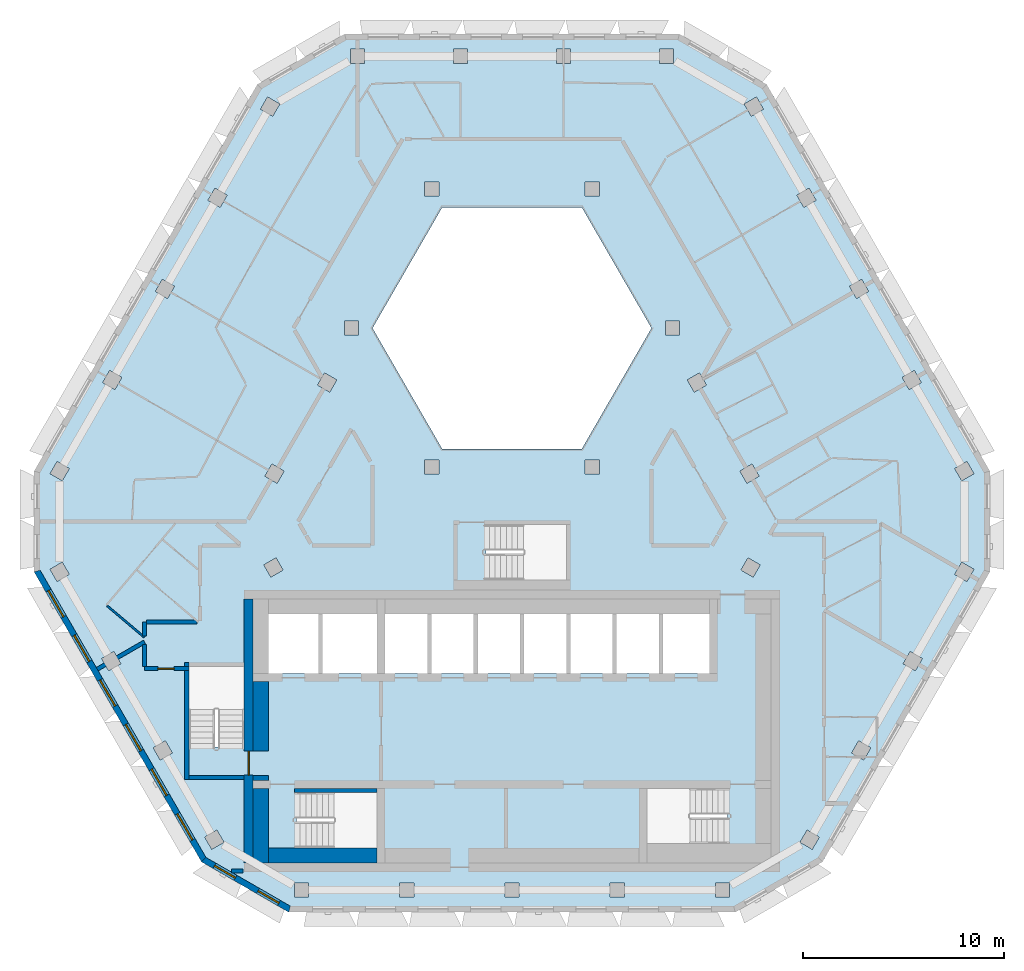
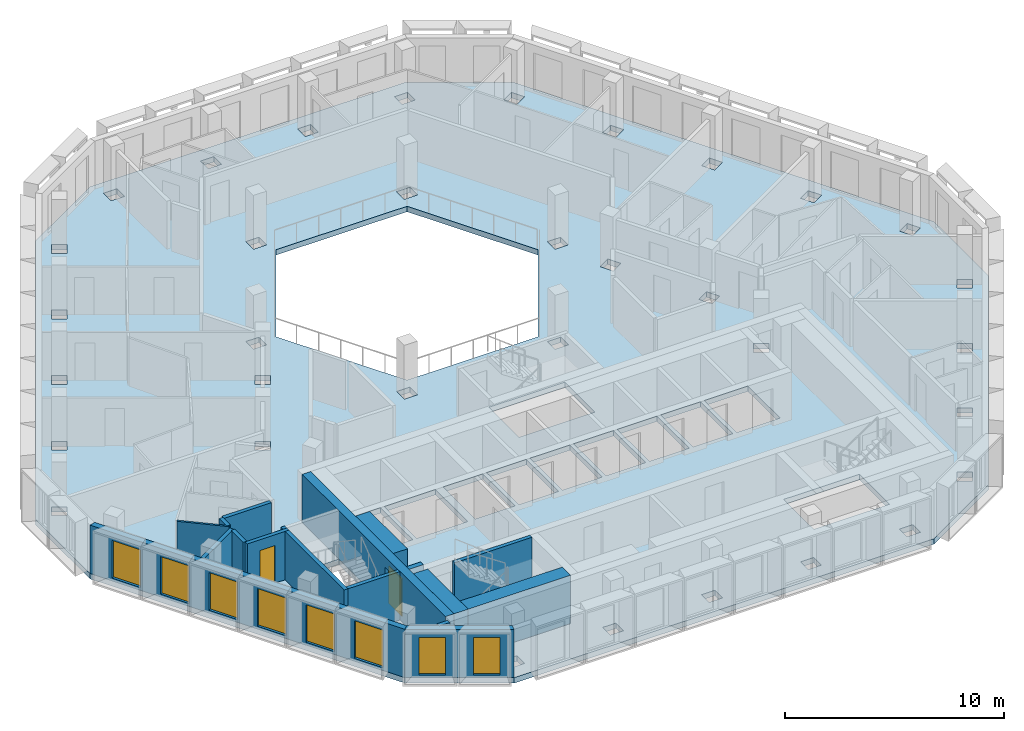
# One storey, part 2 of 16: 17 walls, 8 windows, 2 doors, 1 slab, 10 openings.
"""IFC4 building model written with IfcOpenShell, lengths in metres."""

from ifc_helpers import new_model, si_unit, direction, frame, frame_2d, origin, place, context, subcontext, project, spatial, polyline, rectangle, outline, extrude, material, layer, layer_set, type_object, element, fill, save


model = new_model("IFC4")

# Units and contexts
model_context = context("Model", 3, precision=1e-05, world=origin(), true_north=direction((0.0, 1.0)))
body_context = subcontext(model_context, "Body", "Model", "MODEL_VIEW")
ifc_project = project(units=[si_unit("LENGTHUNIT", "METRE"), si_unit("AREAUNIT", "SQUARE_METRE"), si_unit("VOLUMEUNIT", "CUBIC_METRE"), si_unit("PLANEANGLEUNIT", "RADIAN"), si_unit("MASSUNIT", "GRAM", prefix="KILO")], contexts=[model_context])

# Site, building, storey
site_placement = place(None, origin())
site = spatial("IfcSite", under=ifc_project, at=site_placement, CompositionType="ELEMENT")
building_placement = place(site_placement, origin())
building = spatial("IfcBuilding", under=site, at=building_placement, Name="Beryl Residences", CompositionType="ELEMENT")
storey_placement = place(building_placement, frame((0.0, 0.0, 238.800048828125)))
storey = spatial("IfcBuildingStorey", under=building, at=storey_placement, Name="L74", CompositionType="ELEMENT", Elevation=238.800048828125)

# Slab
ifc_material_1 = material(Name="Concrete C40/50", Category="concrete")
ifc_layer_1 = layer(ifc_material_1, 0.300048828125)
ifc_layer_set_1 = layer_set([ifc_layer_1], Name="SL7 PT floor slab 300 mm C40/50")
slab_type = type_object("IfcSlabType", Name="SL7 PT floor slab 300 mm C40/50", PredefinedType="FLOOR", material=ifc_layer_set_1)
slab_placement = place(storey_placement, frame((0.0, 0.0, -0.300048828125)))
element("IfcSlab", 1, at=slab_placement, inside=storey, type_object=slab_type, Name="L74 slab 1", PredefinedType="FLOOR", context=body_context, shape_type="SweptSolid", body=[
    extrude(outline(polyline([(23.72900390625, -4.10009765625), (15.4150390625, -18.5), (11.0849609375, -21.0), (-11.0849609375, -21.0), (-15.4150390625, -18.5), (-23.72900390625, -4.10009765625), (-23.72900390625, 0.89990234375), (-12.64404296875, 20.10009765625), (-8.31396484375, 22.60009765625), (8.31396484375, 22.60009765625), (12.64404296875, 20.10009765625), (23.72900390625, 0.89990234375), (23.72900390625, -4.10009765625)]), holes=[polyline([(21.97998046875, 1.028076171875), (22.330078125, 0.422119140625), (22.93603515625, 0.77197265625), (22.5859375, 1.3779296875), (21.97998046875, 1.028076171875)]), polyline([(21.97998046875, -4.22900390625), (22.5859375, -4.5791015625), (22.93603515625, -3.972900390625), (22.330078125, -3.623046875), (21.97998046875, -4.22900390625)]), polyline([(19.77099609375, -8.055908203125), (19.4208984375, -8.662109375), (20.027099609375, -9.011962890625), (20.376953125, -8.406005859375), (19.77099609375, -8.055908203125)]), polyline([(19.367919921875, 5.552978515625), (19.718017578125, 4.947021484375), (20.323974609375, 5.297119140625), (19.97412109375, 5.903076171875), (19.367919921875, 5.552978515625)]), polyline([(17.2109375, -12.489013671875), (16.861083984375, -13.094970703125), (17.467041015625, -13.445068359375), (17.81689453125, -12.839111328125), (17.2109375, -12.489013671875)]), polyline([(17.361083984375, 10.427978515625), (16.7548828125, 10.077880859375), (17.10498046875, 9.471923828125), (17.7109375, 9.822021484375), (17.361083984375, 10.427978515625)]), polyline([(15.258056640625, -17.27197265625), (14.652099609375, -16.922119140625), (14.302001953125, -17.528076171875), (14.907958984375, -17.8779296875), (15.258056640625, -17.27197265625)]), polyline([(14.14306640625, 14.60302734375), (14.492919921875, 13.9970703125), (15.09912109375, 14.346923828125), (14.7490234375, 14.952880859375), (14.14306640625, 14.60302734375)]), polyline([(11.531005859375, 19.1279296875), (11.881103515625, 18.52197265625), (12.487060546875, 18.8720703125), (12.136962890625, 19.47802734375), (11.531005859375, 19.1279296875)]), polyline([(11.717041015625, -3.406005859375), (11.366943359375, -4.011962890625), (11.972900390625, -4.362060546875), (12.322998046875, -3.756103515625), (11.717041015625, -3.406005859375)]), polyline([(11.919921875, 1.2529296875), (11.31396484375, 0.903076171875), (11.6640625, 0.297119140625), (12.27001953125, 0.64697265625), (11.919921875, 1.2529296875)]), polyline([(10.800048828125, -19.550048828125), (10.10009765625, -19.550048828125), (10.10009765625, -20.25), (10.800048828125, -20.25), (10.800048828125, -19.550048828125)]), polyline([(6.699951171875, -14.85009765625), (6.699951171875, -17.60009765625), (10.699951171875, -17.60009765625), (10.699951171875, -14.85009765625), (6.699951171875, -14.85009765625)]), polyline([(7.5, -9.14990234375), (9.800048828125, -9.14990234375), (9.800048828125, -6.199951171875), (7.5, -6.199951171875), (7.5, -9.14990234375)]), polyline([(8.700927734375, 5.427978515625), (9.051025390625, 4.822021484375), (9.656982421875, 5.172119140625), (9.306884765625, 5.778076171875), (8.700927734375, 5.427978515625)]), polyline([(8.31689453125, 7.64990234375), (8.31689453125, 8.35009765625), (7.616943359375, 8.35009765625), (7.616943359375, 7.64990234375), (8.31689453125, 7.64990234375)]), polyline([(7.3291015625, 21.85009765625), (7.3291015625, 21.14990234375), (8.029052734375, 21.14990234375), (8.029052734375, 21.85009765625), (7.3291015625, 21.85009765625)]), polyline([(5.199951171875, -9.14990234375), (7.300048828125, -9.14990234375), (7.300048828125, -6.199951171875), (5.199951171875, -6.199951171875), (5.199951171875, -9.14990234375)]), polyline([(3.464111328125, 14.0), (-3.464111328125, 14.0), (-6.92822265625, 8.0), (-3.464111328125, 2.0), (3.464111328125, 2.0), (6.92822265625, 8.0), (3.464111328125, 14.0)]), polyline([(4.875, -19.550048828125), (4.875, -20.25), (5.574951171875, -20.25), (5.574951171875, -19.550048828125), (4.875, -19.550048828125)]), polyline([(2.89990234375, -9.14990234375), (5.0, -9.14990234375), (5.0, -6.199951171875), (2.89990234375, -6.199951171875), (2.89990234375, -9.14990234375)]), polyline([(4.333984375, 15.25), (3.634033203125, 15.25), (3.634033203125, 14.550048828125), (4.333984375, 14.550048828125), (4.333984375, 15.25)]), polyline([(4.333984375, 1.449951171875), (3.634033203125, 1.449951171875), (3.634033203125, 0.75), (4.333984375, 0.75), (4.333984375, 1.449951171875)]), polyline([(2.2099609375, 21.85009765625), (2.2099609375, 21.14990234375), (2.909912109375, 21.14990234375), (2.909912109375, 21.85009765625), (2.2099609375, 21.85009765625)]), polyline([(2.699951171875, -9.14990234375), (2.699951171875, -6.199951171875), (0.60009765625, -6.199951171875), (0.60009765625, -9.14990234375), (2.699951171875, -9.14990234375)]), polyline([(2.699951171875, -4.5), (2.699951171875, -1.75), (-1.300048828125, -1.75), (-1.300048828125, -4.5), (2.699951171875, -4.5)]), polyline([(0.39990234375, -6.199951171875), (-1.699951171875, -6.199951171875), (-1.699951171875, -9.14990234375), (0.39990234375, -9.14990234375), (0.39990234375, -6.199951171875)]), polyline([(0.35009765625, -19.550048828125), (-0.35009765625, -19.550048828125), (-0.35009765625, -20.25), (0.35009765625, -20.25), (0.35009765625, -19.550048828125)]), polyline([(-4.0, -9.14990234375), (-1.89990234375, -9.14990234375), (-1.89990234375, -6.199951171875), (-4.0, -6.199951171875), (-4.0, -9.14990234375)]), polyline([(-2.908935546875, 21.14990234375), (-2.208984375, 21.14990234375), (-2.208984375, 21.85009765625), (-2.908935546875, 21.85009765625), (-2.908935546875, 21.14990234375)]), polyline([(-3.634033203125, 15.25), (-4.333984375, 15.25), (-4.333984375, 14.550048828125), (-3.634033203125, 14.550048828125), (-3.634033203125, 15.25)]), polyline([(-4.333984375, 1.449951171875), (-4.333984375, 0.75), (-3.634033203125, 0.75), (-3.634033203125, 1.449951171875), (-4.333984375, 1.449951171875)]), polyline([(-6.300048828125, -9.14990234375), (-4.199951171875, -9.14990234375), (-4.199951171875, -6.199951171875), (-6.300048828125, -6.199951171875), (-6.300048828125, -9.14990234375)]), polyline([(-4.875, -19.550048828125), (-5.574951171875, -19.550048828125), (-5.574951171875, -20.25), (-4.875, -20.25), (-4.875, -19.550048828125)]), polyline([(-9.39990234375, -6.199951171875), (-9.39990234375, -9.14990234375), (-6.699951171875, -9.14990234375), (-6.699951171875, -6.199951171875), (-9.39990234375, -6.199951171875)]), polyline([(-10.699951171875, -15.050048828125), (-10.699951171875, -17.800048828125), (-6.699951171875, -17.800048828125), (-6.699951171875, -15.050048828125), (-10.699951171875, -15.050048828125)]), polyline([(-8.028076171875, 21.14990234375), (-7.327880859375, 21.14990234375), (-7.327880859375, 21.85009765625), (-8.028076171875, 21.85009765625), (-8.028076171875, 21.14990234375)]), polyline([(-7.616943359375, 7.64990234375), (-7.616943359375, 8.35009765625), (-8.31689453125, 8.35009765625), (-8.31689453125, 7.64990234375), (-7.616943359375, 7.64990234375)]), polyline([(-9.051025390625, 4.822021484375), (-8.700927734375, 5.427978515625), (-9.306884765625, 5.778076171875), (-9.656982421875, 5.172119140625), (-9.051025390625, 4.822021484375)]), polyline([(-12.10009765625, -9.14990234375), (-9.60009765625, -9.14990234375), (-9.60009765625, -6.199951171875), (-12.10009765625, -6.199951171875), (-12.10009765625, -9.14990234375)]), polyline([(-10.800048828125, -19.550048828125), (-10.800048828125, -20.25), (-10.10009765625, -20.25), (-10.10009765625, -19.550048828125), (-10.800048828125, -19.550048828125)]), polyline([(-12.27001953125, 0.64697265625), (-11.6640625, 0.297119140625), (-11.31396484375, 0.903076171875), (-11.919921875, 1.2529296875), (-12.27001953125, 0.64697265625)]), polyline([(-11.972900390625, -4.361083984375), (-11.366943359375, -4.010986328125), (-11.717041015625, -3.405029296875), (-12.322998046875, -3.7548828125), (-11.972900390625, -4.361083984375)]), polyline([(-12.487060546875, 18.8720703125), (-11.881103515625, 18.52197265625), (-11.531005859375, 19.1279296875), (-12.136962890625, 19.47802734375), (-12.487060546875, 18.8720703125)]), polyline([(-13.300048828125, -8.800048828125), (-16.050048828125, -8.800048828125), (-16.050048828125, -12.800048828125), (-13.300048828125, -12.800048828125), (-13.300048828125, -8.800048828125)]), polyline([(-14.14306640625, 14.60302734375), (-14.7490234375, 14.952880859375), (-15.09912109375, 14.346923828125), (-14.492919921875, 13.9970703125), (-14.14306640625, 14.60302734375)]), polyline([(-14.302978515625, -17.527099609375), (-14.653076171875, -16.9208984375), (-15.259033203125, -17.27099609375), (-14.908935546875, -17.876953125), (-14.302978515625, -17.527099609375)]), polyline([(-17.10498046875, 9.471923828125), (-16.7548828125, 10.077880859375), (-17.361083984375, 10.427978515625), (-17.7109375, 9.822021484375), (-17.10498046875, 9.471923828125)]), polyline([(-17.2119140625, -12.488037109375), (-17.818115234375, -12.837890625), (-17.468017578125, -13.444091796875), (-16.862060546875, -13.093994140625), (-17.2119140625, -12.488037109375)]), polyline([(-19.718017578125, 4.947021484375), (-19.367919921875, 5.552978515625), (-19.97412109375, 5.903076171875), (-20.323974609375, 5.297119140625), (-19.718017578125, 4.947021484375)]), polyline([(-19.4208984375, -8.660888671875), (-19.77099609375, -8.054931640625), (-20.376953125, -8.405029296875), (-20.027099609375, -9.010986328125), (-19.4208984375, -8.660888671875)]), polyline([(-22.330078125, 0.422119140625), (-21.97998046875, 1.028076171875), (-22.5859375, 1.3779296875), (-22.93603515625, 0.77197265625), (-22.330078125, 0.422119140625)]), polyline([(-21.98095703125, -4.22802734375), (-22.3310546875, -3.6220703125), (-22.93701171875, -3.971923828125), (-22.5869140625, -4.577880859375), (-21.98095703125, -4.22802734375)])]), origin(), (0.0, 0.0, 1.0), 0.300048828125),
])

# Wall, openings, windows
ifc_material_2 = material(Name="Composite metal panel with mineral wool insulation")
ifc_layer_2 = layer(ifc_material_2, 0.300048828125)
ifc_layer_set_2 = layer_set([ifc_layer_2], Name="ES1 pale metal composite panel wall 300 mm")
wall_type_1 = type_object("IfcWallType", Name="ES1 pale metal composite panel wall 300 mm", PredefinedType="SOLIDWALL", material=ifc_layer_set_2)
wall_1_placement = place(storey_placement, frame((-23.59912109375, -4.02490234375, 0.0), z_axis=(0.0, 0.0, 1.0), x_axis=(0.500012653391, -0.866018098222, 0.0)))
wall_1 = element("IfcWall", 2, at=wall_1_placement, inside=storey, type_object=wall_type_1, Name="ES1 external wall L74 SW", PredefinedType="SOLIDWALL", context=body_context, shape_type="SweptSolid", body=[
    extrude(outline(polyline([(0.0, -0.14990234375), (16.6279296875, -0.14990234375), (16.547607421875, 0.14990234375), (0.080322265625, 0.14990234375), (0.0, -0.14990234375)])), origin(), (0.0, 0.0, 1.0), 2.699951171875),
])
opening_1_placement = place(wall_1_placement, frame((1.1640625, 0.0, 0.14990234375)))
opening_1 = element("IfcOpeningElement", 3, at=opening_1_placement, cuts=wall_1, Name="Opening W1", PredefinedType="OPENING", context=body_context, shape_type="SweptSolid", body=[
    extrude(rectangle(XDim=1.5, YDim=2.10009765625, at=frame_2d((0.75, 1.050048828125))), frame((0.0, 0.159912109375, 0.0), z_axis=(0.0, -1.0, 0.0), x_axis=(1.0, 0.0, 0.0)), (0.0, 0.0, 1.0), 0.320068359375),
])
opening_2_placement = place(wall_1_placement, frame((3.72412109375, 0.0, 0.14990234375)))
opening_2 = element("IfcOpeningElement", 4, at=opening_2_placement, cuts=wall_1, Name="Opening W1", PredefinedType="OPENING", context=body_context, shape_type="SweptSolid", body=[
    extrude(rectangle(XDim=1.5, YDim=2.10009765625, at=frame_2d((0.75, 1.050048828125))), frame((0.0, 0.159912109375, 0.0), z_axis=(0.0, -1.0, 0.0), x_axis=(1.0, 0.0, 0.0)), (0.0, 0.0, 1.0), 0.320068359375),
])
opening_3_placement = place(wall_1_placement, frame((6.282958984375, 0.0, 0.14990234375)))
opening_3 = element("IfcOpeningElement", 5, at=opening_3_placement, cuts=wall_1, Name="Opening W1", PredefinedType="OPENING", context=body_context, shape_type="SweptSolid", body=[
    extrude(rectangle(XDim=1.5, YDim=2.10009765625, at=frame_2d((0.75, 1.050048828125))), frame((0.0, 0.159912109375, 0.0), z_axis=(0.0, -1.0, 0.0), x_axis=(1.0, 0.0, 0.0)), (0.0, 0.0, 1.0), 0.320068359375),
])
opening_4_placement = place(wall_1_placement, frame((8.843017578125, 0.0, 0.14990234375)))
opening_4 = element("IfcOpeningElement", 6, at=opening_4_placement, cuts=wall_1, Name="Opening W1", PredefinedType="OPENING", context=body_context, shape_type="SweptSolid", body=[
    extrude(rectangle(XDim=1.5, YDim=2.10009765625, at=frame_2d((0.75, 1.050048828125))), frame((0.0, 0.159912109375, 0.0), z_axis=(0.0, -1.0, 0.0), x_axis=(1.0, 0.0, 0.0)), (0.0, 0.0, 1.0), 0.320068359375),
])
opening_5_placement = place(wall_1_placement, frame((11.403076171875, 0.0, 0.14990234375)))
opening_5 = element("IfcOpeningElement", 7, at=opening_5_placement, cuts=wall_1, Name="Opening W1", PredefinedType="OPENING", context=body_context, shape_type="SweptSolid", body=[
    extrude(rectangle(XDim=1.5, YDim=2.10009765625, at=frame_2d((0.75, 1.050048828125))), frame((0.0, 0.159912109375, 0.0), z_axis=(0.0, -1.0, 0.0), x_axis=(1.0, 0.0, 0.0)), (0.0, 0.0, 1.0), 0.320068359375),
])
opening_6_placement = place(wall_1_placement, frame((13.9619140625, 0.0, 0.14990234375)))
opening_6 = element("IfcOpeningElement", 8, at=opening_6_placement, cuts=wall_1, Name="Opening W1", PredefinedType="OPENING", context=body_context, shape_type="SweptSolid", body=[
    extrude(rectangle(XDim=1.5, YDim=2.10009765625, at=frame_2d((0.75, 1.050048828125))), frame((0.0, 0.159912109375, 0.0), z_axis=(0.0, -1.0, 0.0), x_axis=(1.0, 0.0, 0.0)), (0.0, 0.0, 1.0), 0.320068359375),
])
ifc_material_3 = material(Name="Aluminium and clear glass", Category="aluminium")
window_type_1 = type_object("IfcWindowType", Name="W1 cell window 1500 x 2100 mm", PartitioningType="SINGLE_PANEL", PredefinedType="WINDOW", material=ifc_material_3)
window_1_placement = place(opening_1_placement, origin())
window_1 = element("IfcWindow", 9, at=window_1_placement, inside=storey, type_object=window_type_1, Name="W1 window L74 SW 1", OverallHeight=2.10009765625, OverallWidth=1.5, PartitioningType="SINGLE_PANEL", PredefinedType="WINDOW", context=body_context, shape_type="SweptSolid", body=[
    extrude(rectangle(XDim=1.5, YDim=2.10009765625, at=frame_2d((0.75, 1.050048828125))), frame((0.0, 0.030029296875, 0.0), z_axis=(0.0, -1.0, 0.0), x_axis=(1.0, 0.0, 0.0)), (0.0, 0.0, 1.0), 0.06005859375),
])
fill(opening_1, window_1)
window_2_placement = place(opening_2_placement, origin())
window_2 = element("IfcWindow", 10, at=window_2_placement, inside=storey, type_object=window_type_1, Name="W1 window L74 SW 2", OverallHeight=2.10009765625, OverallWidth=1.5, PartitioningType="SINGLE_PANEL", PredefinedType="WINDOW", context=body_context, shape_type="SweptSolid", body=[
    extrude(rectangle(XDim=1.5, YDim=2.10009765625, at=frame_2d((0.75, 1.050048828125))), frame((0.0, 0.030029296875, 0.0), z_axis=(0.0, -1.0, 0.0), x_axis=(1.0, 0.0, 0.0)), (0.0, 0.0, 1.0), 0.06005859375),
])
fill(opening_2, window_2)
window_3_placement = place(opening_3_placement, origin())
window_3 = element("IfcWindow", 11, at=window_3_placement, inside=storey, type_object=window_type_1, Name="W1 window L74 SW 3", OverallHeight=2.10009765625, OverallWidth=1.5, PartitioningType="SINGLE_PANEL", PredefinedType="WINDOW", context=body_context, shape_type="SweptSolid", body=[
    extrude(rectangle(XDim=1.5, YDim=2.10009765625, at=frame_2d((0.75, 1.050048828125))), frame((0.0, 0.030029296875, 0.0), z_axis=(0.0, -1.0, 0.0), x_axis=(1.0, 0.0, 0.0)), (0.0, 0.0, 1.0), 0.06005859375),
])
fill(opening_3, window_3)
window_4_placement = place(opening_4_placement, origin())
window_4 = element("IfcWindow", 12, at=window_4_placement, inside=storey, type_object=window_type_1, Name="W1 window L74 SW 4", OverallHeight=2.10009765625, OverallWidth=1.5, PartitioningType="SINGLE_PANEL", PredefinedType="WINDOW", context=body_context, shape_type="SweptSolid", body=[
    extrude(rectangle(XDim=1.5, YDim=2.10009765625, at=frame_2d((0.75, 1.050048828125))), frame((0.0, 0.030029296875, 0.0), z_axis=(0.0, -1.0, 0.0), x_axis=(1.0, 0.0, 0.0)), (0.0, 0.0, 1.0), 0.06005859375),
])
fill(opening_4, window_4)
window_5_placement = place(opening_5_placement, origin())
window_5 = element("IfcWindow", 13, at=window_5_placement, inside=storey, type_object=window_type_1, Name="W1 window L74 SW 5", OverallHeight=2.10009765625, OverallWidth=1.5, PartitioningType="SINGLE_PANEL", PredefinedType="WINDOW", context=body_context, shape_type="SweptSolid", body=[
    extrude(rectangle(XDim=1.5, YDim=2.10009765625, at=frame_2d((0.75, 1.050048828125))), frame((0.0, 0.030029296875, 0.0), z_axis=(0.0, -1.0, 0.0), x_axis=(1.0, 0.0, 0.0)), (0.0, 0.0, 1.0), 0.06005859375),
])
fill(opening_5, window_5)
window_6_placement = place(opening_6_placement, origin())
window_6 = element("IfcWindow", 14, at=window_6_placement, inside=storey, type_object=window_type_1, Name="W1 window L74 SW 6", OverallHeight=2.10009765625, OverallWidth=1.5, PartitioningType="SINGLE_PANEL", PredefinedType="WINDOW", context=body_context, shape_type="SweptSolid", body=[
    extrude(rectangle(XDim=1.5, YDim=2.10009765625, at=frame_2d((0.75, 1.050048828125))), frame((0.0, 0.030029296875, 0.0), z_axis=(0.0, -1.0, 0.0), x_axis=(1.0, 0.0, 0.0)), (0.0, 0.0, 1.0), 0.06005859375),
])
fill(opening_6, window_6)

wall_2_placement = place(storey_placement, frame((-15.340087890625, -18.3701171875, 0.0), z_axis=(0.0, 0.0, 1.0), x_axis=(0.866022959057, -0.500004234368, 0.0)))
wall_2 = element("IfcWall", 15, at=wall_2_placement, inside=storey, type_object=wall_type_1, Name="ES1 external wall L74 SW-S", PredefinedType="SOLIDWALL", context=body_context, shape_type="SweptSolid", body=[
    extrude(outline(polyline([(0.0, -0.14990234375), (5.0, -0.14990234375), (4.919677734375, 0.14990234375), (0.080322265625, 0.14990234375), (0.0, -0.14990234375)])), origin(), (0.0, 0.0, 1.0), 2.699951171875),
])
opening_7_placement = place(wall_2_placement, frame((0.64990234375, 0.0, 0.14990234375)))
opening_7 = element("IfcOpeningElement", 16, at=opening_7_placement, cuts=wall_2, Name="Opening W2", PredefinedType="OPENING", context=body_context, shape_type="SweptSolid", body=[
    extrude(rectangle(XDim=1.199951171875, YDim=2.10009765625, at=frame_2d((0.60009765625, 1.050048828125))), frame((0.0, 0.159912109375, 0.0), z_axis=(0.0, -1.0, 0.0), x_axis=(1.0, 0.0, 0.0)), (0.0, 0.0, 1.0), 0.320068359375),
])
opening_8_placement = place(wall_2_placement, frame((3.14990234375, 0.0, 0.14990234375)))
opening_8 = element("IfcOpeningElement", 17, at=opening_8_placement, cuts=wall_2, Name="Opening W2", PredefinedType="OPENING", context=body_context, shape_type="SweptSolid", body=[
    extrude(rectangle(XDim=1.199951171875, YDim=2.10009765625, at=frame_2d((0.60009765625, 1.050048828125))), frame((0.0, 0.159912109375, 0.0), z_axis=(0.0, -1.0, 0.0), x_axis=(1.0, 0.0, 0.0)), (0.0, 0.0, 1.0), 0.320068359375),
])
ifc_material_4 = material(Name="Aluminium and clear glass", Category="aluminium")
window_type_2 = type_object("IfcWindowType", Name="W2 chamfer window 1200 x 2100 mm", PartitioningType="SINGLE_PANEL", PredefinedType="WINDOW", material=ifc_material_4)
window_7_placement = place(opening_7_placement, origin())
window_7 = element("IfcWindow", 18, at=window_7_placement, inside=storey, type_object=window_type_2, Name="W2 window L74 SW-S 1", OverallHeight=2.10009765625, OverallWidth=1.199951171875, PartitioningType="SINGLE_PANEL", PredefinedType="WINDOW", context=body_context, shape_type="SweptSolid", body=[
    extrude(rectangle(XDim=1.199951171875, YDim=2.10009765625, at=frame_2d((0.60009765625, 1.050048828125))), frame((0.0, 0.030029296875, 0.0), z_axis=(0.0, -1.0, 0.0), x_axis=(1.0, 0.0, 0.0)), (0.0, 0.0, 1.0), 0.06005859375),
])
fill(opening_7, window_7)
window_8_placement = place(opening_8_placement, origin())
window_8 = element("IfcWindow", 19, at=window_8_placement, inside=storey, type_object=window_type_2, Name="W2 window L74 SW-S 2", OverallHeight=2.10009765625, OverallWidth=1.199951171875, PartitioningType="SINGLE_PANEL", PredefinedType="WINDOW", context=body_context, shape_type="SweptSolid", body=[
    extrude(rectangle(XDim=1.199951171875, YDim=2.10009765625, at=frame_2d((0.60009765625, 1.050048828125))), frame((0.0, 0.030029296875, 0.0), z_axis=(0.0, -1.0, 0.0), x_axis=(1.0, 0.0, 0.0)), (0.0, 0.0, 1.0), 0.06005859375),
])
fill(opening_8, window_8)

# Walls
ifc_material_5 = material(Name="Gypsum board partition on steel studs", Category="steel")
ifc_layer_3 = layer(ifc_material_5, 0.10009765625)
ifc_layer_set_3 = layer_set([ifc_layer_3], Name="PT1 partition 100 mm gypsum board on steel studs")
wall_type_2 = type_object("IfcWallType", Name="PT1 partition 100 mm gypsum board on steel studs", PredefinedType="PARTITIONING", material=ifc_layer_set_3)
wall_3_placement = place(storey_placement, frame((-20.10302734375, -5.787109375, 0.0), z_axis=(0.0, 0.0, 1.0), x_axis=(0.763599944726, -0.645689650231, 0.0)))
element("IfcWall", 20, at=wall_3_placement, inside=storey, type_object=wall_type_2, Name="Wall PT1 L74 021", PredefinedType="PARTITIONING", context=body_context, shape_type="SweptSolid", body=[
    extrude(rectangle(XDim=2.4267578125, YDim=0.10009765625, at=frame_2d((1.21337890625, 0.0))), origin(), (0.0, 0.0, 1.0), 2.699951171875),
])
ifc_material_6 = material(Name="Concrete masonry", Category="masonry")
ifc_layer_4 = layer(ifc_material_6, 0.25)
ifc_layer_set_4 = layer_set([ifc_layer_4], Name="PT13-250 lobby wall 250 mm")
wall_type_3 = type_object("IfcWallType", Name="PT13-250 lobby wall 250 mm", PredefinedType="PARTITIONING", material=ifc_layer_set_4)
wall_4_placement = place(storey_placement, frame((-12.85009765625, -14.324951171875, 0.0), z_axis=(0.0, 0.0, 1.0), x_axis=(1.0, 0.0, 0.0)))
element("IfcWall", 21, at=wall_4_placement, inside=storey, type_object=wall_type_3, Name="Lobby wall 05", PredefinedType="PARTITIONING", context=body_context, shape_type="SweptSolid", body=[
    extrude(rectangle(XDim=0.75, YDim=0.25, at=frame_2d((0.375, 0.0))), origin(), (0.0, 0.0, 1.0), 2.699951171875),
])
ifc_material_7 = material(Name="Concrete masonry", Category="masonry")
ifc_layer_5 = layer(ifc_material_7, 0.75)
ifc_layer_set_5 = layer_set([ifc_layer_5], Name="PT13-750 lobby wall 750 mm")
wall_type_4 = type_object("IfcWallType", Name="PT13-750 lobby wall 750 mm", PredefinedType="PARTITIONING", material=ifc_layer_set_5)
wall_5_placement = place(storey_placement, frame((-12.47509765625, -13.0, 0.0), z_axis=(0.0, 0.0, 1.0), x_axis=(0.0, 1.0, 0.0)))
element("IfcWall", 22, at=wall_5_placement, inside=storey, type_object=wall_type_4, Name="Lobby wall 06", PredefinedType="PARTITIONING", context=body_context, shape_type="SweptSolid", body=[
    extrude(rectangle(XDim=3.449951171875, YDim=0.75, at=frame_2d((1.72509765625, 0.0))), origin(), (0.0, 0.0, 1.0), 2.699951171875),
])
ifc_material_8 = material(Name="Acoustic double stud gypsum board wall")
ifc_layer_6 = layer(ifc_material_8, 0.199951171875)
ifc_layer_set_6 = layer_set([ifc_layer_6], Name="PT3 party wall 200 mm acoustic double stud")
wall_type_5 = type_object("IfcWallType", Name="PT3 party wall 200 mm acoustic double stud", PredefinedType="PARTITIONING", material=ifc_layer_set_6)
wall_6_placement = place(storey_placement, frame((-13.9150390625, -18.949951171875, 0.0), z_axis=(0.0, 0.0, 1.0), x_axis=(1.0, 0.0, 0.0)))
element("IfcWall", 23, at=wall_6_placement, inside=storey, type_object=wall_type_5, Name="Wall PT3 L74 008", PredefinedType="PARTITIONING", context=body_context, shape_type="SweptSolid", body=[
    extrude(rectangle(XDim=0.554931640625, YDim=0.199951171875, at=frame_2d((0.27734375, 0.0))), origin(), (0.0, 0.0, 1.0), 2.699951171875),
])
wall_7_placement = place(storey_placement, frame((-20.592041015625, -8.93310546875, 0.0), z_axis=(0.0, 0.0, 1.0), x_axis=(0.866045775131, 0.499964714133, 0.0)))
element("IfcWall", 24, at=wall_7_placement, inside=storey, type_object=wall_type_5, Name="Wall PT3 L74 012", PredefinedType="PARTITIONING", context=body_context, shape_type="SweptSolid", body=[
    extrude(rectangle(XDim=2.704345703125, YDim=0.199951171875, at=frame_2d((1.35205078125, 0.0))), origin(), (0.0, 0.0, 1.0), 2.699951171875),
])
ifc_material_9 = material(Name="Double stud gypsum board wall")
ifc_layer_7 = layer(ifc_material_9, 0.199951171875)
ifc_layer_set_7 = layer_set([ifc_layer_7], Name="PT4 corridor wall 200 mm double stud")
wall_type_6 = type_object("IfcWallType", Name="PT4 corridor wall 200 mm double stud", PredefinedType="PARTITIONING", material=ifc_layer_set_7)
wall_8_placement = place(storey_placement, frame((-18.25, -7.696044921875, 0.0), z_axis=(0.0, 0.0, 1.0), x_axis=(0.0, -1.0, 0.0)))
element("IfcWall", 25, at=wall_8_placement, inside=storey, type_object=wall_type_6, Name="Wall PT4 L74 008", PredefinedType="PARTITIONING", context=body_context, shape_type="SweptSolid", body=[
    extrude(rectangle(XDim=1.10302734375, YDim=0.199951171875, at=frame_2d((0.551513671875, 0.0))), origin(), (0.0, 0.0, 1.0), 2.699951171875),
])
wall_9_placement = place(storey_placement, frame((-18.14892578125, -6.60009765625, 0.0), z_axis=(0.0, 0.0, 1.0), x_axis=(1.0, 0.0, 0.0)))
element("IfcWall", 26, at=wall_9_placement, inside=storey, type_object=wall_type_6, Name="Wall PT4 L74 012", PredefinedType="PARTITIONING", context=body_context, shape_type="SweptSolid", body=[
    extrude(rectangle(XDim=2.5078125, YDim=0.199951171875, at=frame_2d((1.25390625, 0.0))), origin(), (0.0, 0.0, 1.0), 2.699951171875),
])

# Wall, opening, door
wall_10_placement = place(storey_placement, frame((-18.2490234375, -8.89990234375, 0.0), z_axis=(0.0, 0.0, 1.0), x_axis=(1.0, 0.0, 0.0)))
wall_10 = element("IfcWall", 27, at=wall_10_placement, inside=storey, type_object=wall_type_6, Name="Wall PT4 L74 013", PredefinedType="PARTITIONING", context=body_context, shape_type="SweptSolid", body=[
    extrude(rectangle(XDim=2.198974609375, YDim=0.199951171875, at=frame_2d((1.099609375, 0.0))), origin(), (0.0, 0.0, 1.0), 2.699951171875),
])
opening_9_placement = place(wall_10_placement, frame((0.6689453125, 0.0, 0.0)))
opening_9 = element("IfcOpeningElement", 28, at=opening_9_placement, cuts=wall_10, Name="Opening D2023", PredefinedType="OPENING", context=body_context, shape_type="SweptSolid", body=[
    extrude(rectangle(XDim=0.800048828125, YDim=2.10009765625, at=frame_2d((0.39990234375, 1.050048828125))), frame((0.0, 0.10986328125, 0.0), z_axis=(0.0, -1.0, 0.0), x_axis=(1.0, 0.0, 0.0)), (0.0, 0.0, 1.0), 0.219970703125),
])
ifc_material_10 = material(Name="Timber door leaf", Category="wood")
door_type_1 = type_object("IfcDoorType", Name="D3 bathroom door 800 x 2100 mm", OperationType="SINGLE_SWING_LEFT", PredefinedType="DOOR", material=ifc_material_10)
door_1_placement = place(opening_9_placement, origin())
door_1 = element("IfcDoor", 29, at=door_1_placement, inside=storey, type_object=door_type_1, Name="Door D2023 L74 001", OperationType="SINGLE_SWING_LEFT", OverallHeight=2.10009765625, OverallWidth=0.800048828125, PredefinedType="DOOR", context=body_context, shape_type="SweptSolid", body=[
    extrude(rectangle(XDim=0.800048828125, YDim=2.10009765625, at=frame_2d((0.39990234375, 1.050048828125))), frame((0.0, 0.02490234375, 0.0), z_axis=(0.0, -1.0, 0.0), x_axis=(1.0, 0.0, 0.0)), (0.0, 0.0, 1.0), 0.050048828125),
])
fill(opening_9, door_1)

# Walls
wall_11_placement = place(storey_placement, frame((-18.25, -7.2880859375, 0.0), z_axis=(0.0, 0.0, 1.0), x_axis=(0.0, 1.0, 0.0)))
element("IfcWall", 30, at=wall_11_placement, inside=storey, type_object=wall_type_6, Name="Wall PT4 L74 031", PredefinedType="PARTITIONING", context=body_context, shape_type="SweptSolid", body=[
    extrude(rectangle(XDim=0.68701171875, YDim=0.199951171875, at=frame_2d((0.343505859375, 0.0))), origin(), (0.0, 0.0, 1.0), 2.699951171875),
])
ifc_material_11 = material(Name="Concrete C40/50", Category="concrete")
ifc_layer_8 = layer(ifc_material_11, 0.199951171875)
ifc_layer_set_8 = layer_set([ifc_layer_8], Name="PT5 stair enclosure wall 200 mm reinforced concrete C40/50")
wall_type_7 = type_object("IfcWallType", Name="PT5 stair enclosure wall 200 mm reinforced concrete C40/50", PredefinedType="SOLIDWALL", material=ifc_layer_set_8)
wall_12_placement = place(storey_placement, frame((-16.14990234375, -14.39990234375, 0.0), z_axis=(0.0, 0.0, 1.0), x_axis=(0.0, 1.0, 0.0)))
element("IfcWall", 31, at=wall_12_placement, inside=storey, type_object=wall_type_7, Name="Stair wall 01", PredefinedType="SOLIDWALL", context=body_context, shape_type="SweptSolid", body=[
    extrude(rectangle(XDim=5.7998046875, YDim=0.199951171875, at=frame_2d((2.89990234375, 0.0))), origin(), (0.0, 0.0, 1.0), 2.699951171875),
])
wall_13_placement = place(storey_placement, frame((-16.050048828125, -14.300048828125, 0.0), z_axis=(0.0, 0.0, 1.0), x_axis=(1.0, 0.0, 0.0)))
element("IfcWall", 32, at=wall_13_placement, inside=storey, type_object=wall_type_7, Name="Stair wall 02", PredefinedType="SOLIDWALL", context=body_context, shape_type="SweptSolid", body=[
    extrude(rectangle(XDim=2.75, YDim=0.199951171875, at=frame_2d((1.375, 0.0))), origin(), (0.0, 0.0, 1.0), 2.699951171875),
])
wall_14_placement = place(storey_placement, frame((-10.800048828125, -14.949951171875, 0.0), z_axis=(0.0, 0.0, 1.0), x_axis=(1.0, 0.0, 0.0)))
element("IfcWall", 33, at=wall_14_placement, inside=storey, type_object=wall_type_7, Name="Stair wall 10", PredefinedType="SOLIDWALL", context=body_context, shape_type="SweptSolid", body=[
    extrude(rectangle(XDim=4.10009765625, YDim=0.199951171875, at=frame_2d((2.050048828125, 0.0))), origin(), (0.0, 0.0, 1.0), 2.699951171875),
])
ifc_material_12 = material(Name="Concrete C40/50", Category="concrete")
ifc_layer_9 = layer(ifc_material_12, 0.75)
ifc_layer_set_9 = layer_set([ifc_layer_9], Name="PT5-750 stair enclosure wall 750 mm")
wall_type_8 = type_object("IfcWallType", Name="PT5-750 stair enclosure wall 750 mm", PredefinedType="SOLIDWALL", material=ifc_layer_set_9)
wall_15_placement = place(storey_placement, frame((-12.47509765625, -18.550048828125, 0.0), z_axis=(0.0, 0.0, 1.0), x_axis=(0.0, 1.0, 0.0)))
element("IfcWall", 34, at=wall_15_placement, inside=storey, type_object=wall_type_8, Name="Stair wall 04", PredefinedType="SOLIDWALL", context=body_context, shape_type="SweptSolid", body=[
    extrude(rectangle(XDim=3.699951171875, YDim=0.75, at=frame_2d((1.85009765625, 0.0))), origin(), (0.0, 0.0, 1.0), 2.699951171875),
])
wall_16_placement = place(storey_placement, frame((-12.10009765625, -18.175048828125, 0.0), z_axis=(0.0, 0.0, 1.0), x_axis=(1.0, 0.0, 0.0)))
element("IfcWall", 35, at=wall_16_placement, inside=storey, type_object=wall_type_8, Name="Stair wall 08", PredefinedType="SOLIDWALL", context=body_context, shape_type="SweptSolid", body=[
    extrude(rectangle(XDim=5.400146484375, YDim=0.75, at=frame_2d((2.7001953125, 0.0))), origin(), (0.0, 0.0, 1.0), 2.699951171875),
])

# Wall, opening, door
ifc_material_13 = material(Name="Concrete C50/60", Category="concrete")
ifc_layer_10 = layer(ifc_material_13, 0.449951171875)
ifc_layer_set_10 = layer_set([ifc_layer_10], Name="SW5 core outer wall 450 mm C50/60")
wall_type_9 = type_object("IfcWallType", Name="SW5 core outer wall 450 mm C50/60", PredefinedType="SHEAR", material=ifc_layer_set_10)
wall_17_placement = place(storey_placement, frame((-13.074951171875, -18.550048828125, 0.0), z_axis=(0.0, 0.0, 1.0), x_axis=(0.0, 1.0, 0.0)))
wall_17 = element("IfcWall", 36, at=wall_17_placement, inside=storey, type_object=wall_type_9, Name="Core wall W L74", PredefinedType="SHEAR", context=body_context, shape_type="SweptSolid", body=[
    extrude(rectangle(XDim=13.10009765625, YDim=0.449951171875, at=frame_2d((6.550048828125, 0.0))), origin(), (0.0, 0.0, 1.0), 2.699951171875),
])
opening_10_placement = place(wall_17_placement, frame((4.35009765625, 0.0, 0.0)))
opening_10 = element("IfcOpeningElement", 37, at=opening_10_placement, cuts=wall_17, Name="Opening SD-2", PredefinedType="OPENING", context=body_context, shape_type="SweptSolid", body=[
    extrude(rectangle(XDim=1.199951171875, YDim=2.10009765625, at=frame_2d((0.60009765625, 1.050048828125))), frame((0.0, 0.23486328125, 0.0), z_axis=(0.0, -1.0, 0.0), x_axis=(1.0, 0.0, 0.0)), (0.0, 0.0, 1.0), 0.469970703125),
])
ifc_material_14 = material(Name="Steel door leaf in steel frame", Category="steel")
door_type_2 = type_object("IfcDoorType", Name="D4 stair door 1200 x 2100 mm", OperationType="SINGLE_SWING_LEFT", PredefinedType="DOOR", material=ifc_material_14)
door_2_placement = place(opening_10_placement, origin())
door_2 = element("IfcDoor", 38, at=door_2_placement, inside=storey, type_object=door_type_2, Name="Door SD-2 L74 001", OperationType="SINGLE_SWING_RIGHT", OverallHeight=2.10009765625, OverallWidth=1.199951171875, PredefinedType="DOOR", context=body_context, shape_type="SweptSolid", body=[
    extrude(rectangle(XDim=1.199951171875, YDim=2.10009765625, at=frame_2d((0.60009765625, 1.050048828125))), frame((0.0, 0.02490234375, 0.0), z_axis=(0.0, -1.0, 0.0), x_axis=(1.0, 0.0, 0.0)), (0.0, 0.0, 1.0), 0.050048828125),
])
fill(opening_10, door_2)

save(model, "model.ifc")
